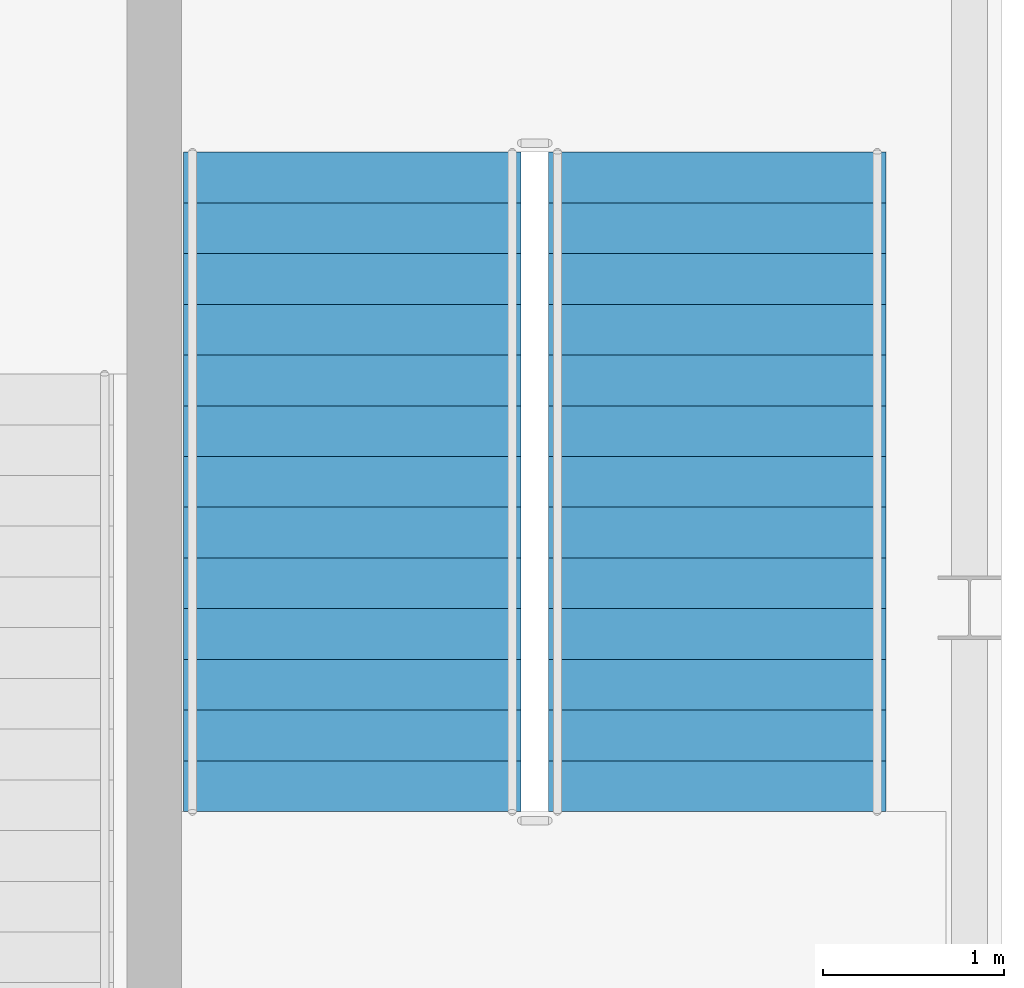
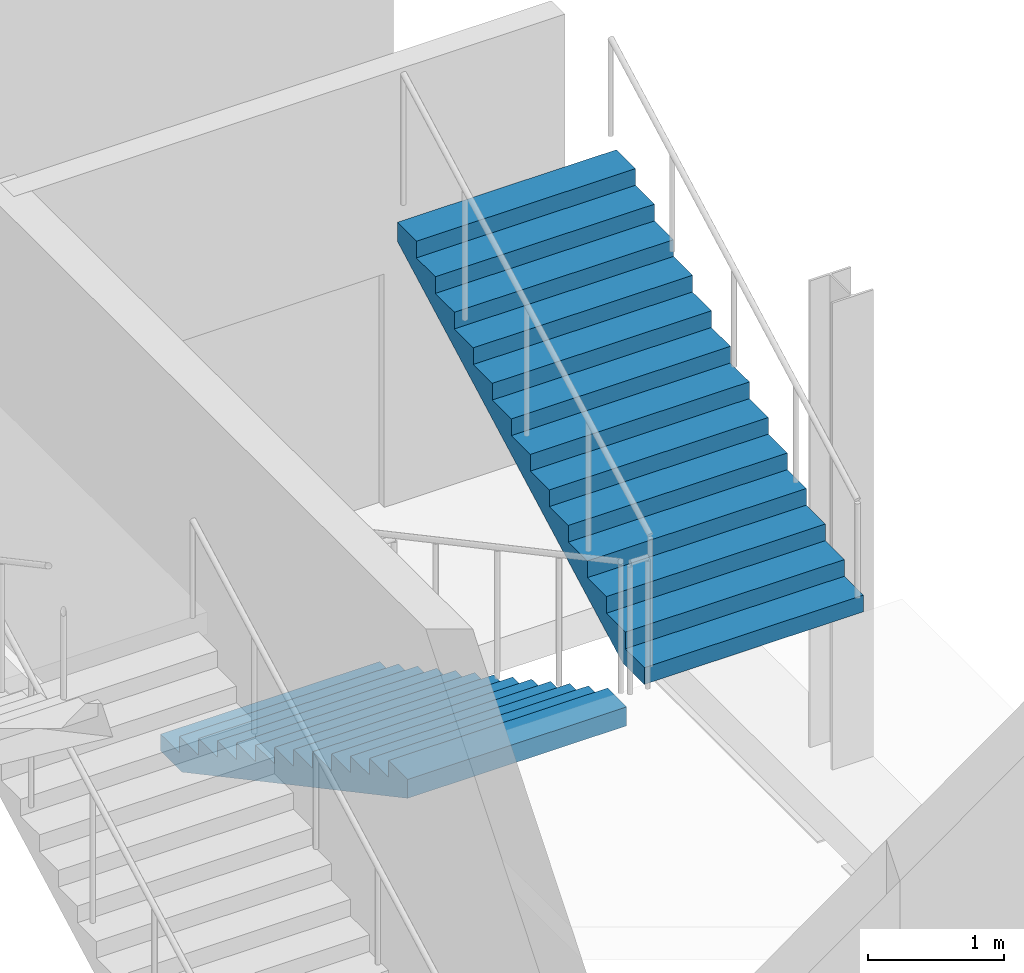
# One storey, part 6 of 7: 2 stair flights, 1 element without a shape of its own.
"""IFC4 building model written with IfcOpenShell, lengths in metres."""

from ifc_helpers import new_model, si_unit, direction, frame, origin, place, context, subcontext, project, spatial, polygons, material, type_object, element, aggregate, save


model = new_model("IFC4")

# Units and contexts
model_context = context("Model", 3, precision=1e-05, world=origin(), true_north=direction((0.0, 1.0)))
body_context = subcontext(model_context, "Body", "Model", "MODEL_VIEW")
ifc_project = project(units=[si_unit("LENGTHUNIT", "METRE"), si_unit("AREAUNIT", "SQUARE_METRE"), si_unit("VOLUMEUNIT", "CUBIC_METRE"), si_unit("PLANEANGLEUNIT", "RADIAN"), si_unit("MASSUNIT", "GRAM", prefix="KILO")], contexts=[model_context])

# Site, building, storey
site_placement = place(None, origin())
site = spatial("IfcSite", under=ifc_project, at=site_placement, CompositionType="ELEMENT")
building_placement = place(site_placement, origin())
building = spatial("IfcBuilding", under=site, at=building_placement, Name="Caravel Reach Hotel and Residences", CompositionType="ELEMENT")
storey_placement = place(building_placement, frame((0.0, 0.0, 317.0)))
storey = spatial("IfcBuildingStorey", under=building, at=storey_placement, Name="L80", CompositionType="ELEMENT", Elevation=317.0)

# Stair, stair flights
ifc_material_1 = material(Name="Concrete C40", Category="concrete")
stair_type = type_object("IfcStairType", Name="Core stair", PredefinedType="HALF_TURN_STAIR", material=ifc_material_1)
stair_placement = place(storey_placement, origin())
stair = element("IfcStair", 1, at=stair_placement, inside=storey, type_object=stair_type, Name="L80 Exit stair C", PredefinedType="HALF_TURN_STAIR")
ifc_material_2 = material(Name="Concrete C40", Category="concrete")
stair_flight_type = type_object("IfcStairFlightType", Name="Core stair flight", PredefinedType="STRAIGHT", material=ifc_material_2)
stair_flight_1_placement = place(storey_placement, frame((46.092529296875, 29.514892578125, 0.0), z_axis=(0.0, 0.0, 1.0), x_axis=(0.0, -1.0, 0.0)))
stair_flight_1 = element("IfcStairFlight", 2, at=stair_flight_1_placement, type_object=stair_flight_type, Name="ST-C flight 1", NumberOfRisers=14, NumberOfTreads=13, PredefinedType="STRAIGHT", RiserHeight=0.15, TreadLength=0.28, context=body_context, shape_type="Tessellation", body=[
    polygons([(0.3174408016601862, 0.9324951171875, 0.0), (0.3174408016601862, 0.6216634114583333, 0.0), (0.3174408016601862, 0.31083170572916663, 0.0), (0.3174408016601862, 0.0, 0.0), (0.3174408016601862, -0.31083170572916674, 0.0), (0.3174408016601862, -0.6216634114583333, 0.0), (0.3174408016601862, -0.9324951171875, 0.0), (3.6410000000000005, 0.9324951171875, 1.7799424276820432), (3.6410000000000005, 0.6216634114583333, 1.7799424276820432), (3.6410000000000005, 0.31083170572916663, 1.7799424276820432), (3.6410000000000005, 0.0, 1.7799424276820432), (3.6410000000000005, -0.31083170572916674, 1.7799424276820432), (3.6410000000000005, -0.6216634114583333, 1.7799424276820432), (3.6410000000000005, -0.9324951171875, 1.7799424276820432), (3.6410000000000005, 0.9324951171875, 1.95), (3.6410000000000005, 0.6216634114583333, 1.95), (3.6410000000000005, 0.31083170572916663, 1.95), (3.6410000000000005, 0.0, 1.95), (3.6410000000000005, -0.31083170572916674, 1.95), (3.6410000000000005, -0.6216634114583333, 1.95), (3.6410000000000005, -0.9324951171875, 1.95), (3.3600000000000003, 0.9324951171875, 1.95), (3.3600000000000003, 0.6216634114583333, 1.95), (3.3600000000000003, 0.31083170572916663, 1.95), (3.3600000000000003, 0.0, 1.95), (3.3600000000000003, -0.31083170572916674, 1.95), (3.3600000000000003, -0.6216634114583333, 1.95), (3.3600000000000003, -0.9324951171875, 1.95), (3.3600000000000003, 0.9324951171875, 1.7999999999999998), (3.3600000000000003, 0.6216634114583333, 1.7999999999999998), (3.3600000000000003, 0.31083170572916663, 1.7999999999999998), (3.3600000000000003, 0.0, 1.7999999999999998), (3.3600000000000003, -0.31083170572916674, 1.7999999999999998), (3.3600000000000003, -0.6216634114583333, 1.7999999999999998), (3.3600000000000003, -0.9324951171875, 1.7999999999999998), (3.08, 0.9324951171875, 1.7999999999999998), (3.08, 0.6216634114583333, 1.7999999999999998), (3.08, 0.31083170572916663, 1.7999999999999998), (3.08, 0.0, 1.7999999999999998), (3.08, -0.31083170572916674, 1.7999999999999998), (3.08, -0.6216634114583333, 1.7999999999999998), (3.08, -0.9324951171875, 1.7999999999999998), (3.08, 0.9324951171875, 1.65), (3.08, 0.6216634114583333, 1.65), (3.08, 0.31083170572916663, 1.65), (3.08, 0.0, 1.65), (3.08, -0.31083170572916674, 1.65), (3.08, -0.6216634114583333, 1.65), (3.08, -0.9324951171875, 1.65), (2.8000000000000003, 0.9324951171875, 1.65), (2.8000000000000003, 0.6216634114583333, 1.65), (2.8000000000000003, 0.31083170572916663, 1.65), (2.8000000000000003, 0.0, 1.65), (2.8000000000000003, -0.31083170572916674, 1.65), (2.8000000000000003, -0.6216634114583333, 1.65), (2.8000000000000003, -0.9324951171875, 1.65), (2.8000000000000003, 0.9324951171875, 1.5), (2.8000000000000003, 0.6216634114583333, 1.5), (2.8000000000000003, 0.31083170572916663, 1.5), (2.8000000000000003, 0.0, 1.5), (2.8000000000000003, -0.31083170572916674, 1.5), (2.8000000000000003, -0.6216634114583333, 1.5), (2.8000000000000003, -0.9324951171875, 1.5), (2.5200000000000005, 0.9324951171875, 1.5), (2.5200000000000005, 0.6216634114583333, 1.5), (2.5200000000000005, 0.31083170572916663, 1.5), (2.5200000000000005, 0.0, 1.5), (2.5200000000000005, -0.31083170572916674, 1.5), (2.5200000000000005, -0.6216634114583333, 1.5), (2.5200000000000005, -0.9324951171875, 1.5), (2.5200000000000005, 0.9324951171875, 1.3499999999999999), (2.5200000000000005, 0.6216634114583333, 1.3499999999999999), (2.5200000000000005, 0.31083170572916663, 1.3499999999999999), (2.5200000000000005, 0.0, 1.3499999999999999), (2.5200000000000005, -0.31083170572916674, 1.3499999999999999), (2.5200000000000005, -0.6216634114583333, 1.3499999999999999), (2.5200000000000005, -0.9324951171875, 1.3499999999999999), (2.24, 0.9324951171875, 1.3499999999999999), (2.24, 0.6216634114583333, 1.3499999999999999), (2.24, 0.31083170572916663, 1.3499999999999999), (2.24, 0.0, 1.3499999999999999), (2.24, -0.31083170572916674, 1.3499999999999999), (2.24, -0.6216634114583333, 1.3499999999999999), (2.24, -0.9324951171875, 1.3499999999999999), (2.24, 0.9324951171875, 1.2), (2.24, 0.6216634114583333, 1.2), (2.24, 0.31083170572916663, 1.2), (2.24, 0.0, 1.2), (2.24, -0.31083170572916674, 1.2), (2.24, -0.6216634114583333, 1.2), (2.24, -0.9324951171875, 1.2), (1.9600000000000002, 0.9324951171875, 1.2), (1.9600000000000002, 0.6216634114583333, 1.2), (1.9600000000000002, 0.31083170572916663, 1.2), (1.9600000000000002, 0.0, 1.2), (1.9600000000000002, -0.31083170572916674, 1.2), (1.9600000000000002, -0.6216634114583333, 1.2), (1.9600000000000002, -0.9324951171875, 1.2), (1.9600000000000002, 0.9324951171875, 1.05), (1.9600000000000002, 0.6216634114583333, 1.05), (1.9600000000000002, 0.31083170572916663, 1.05), (1.9600000000000002, 0.0, 1.05), (1.9600000000000002, -0.31083170572916674, 1.05), (1.9600000000000002, -0.6216634114583333, 1.05), (1.9600000000000002, -0.9324951171875, 1.05), (1.6800000000000002, 0.9324951171875, 1.05), (1.6800000000000002, 0.6216634114583333, 1.05), (1.6800000000000002, 0.31083170572916663, 1.05), (1.6800000000000002, 0.0, 1.05), (1.6800000000000002, -0.31083170572916674, 1.05), (1.6800000000000002, -0.6216634114583333, 1.05), (1.6800000000000002, -0.9324951171875, 1.05), (1.6800000000000002, 0.9324951171875, 0.8999999999999999), (1.6800000000000002, 0.6216634114583333, 0.8999999999999999), (1.6800000000000002, 0.31083170572916663, 0.8999999999999999), (1.6800000000000002, 0.0, 0.8999999999999999), (1.6800000000000002, -0.31083170572916674, 0.8999999999999999), (1.6800000000000002, -0.6216634114583333, 0.8999999999999999), (1.6800000000000002, -0.9324951171875, 0.8999999999999999), (1.4000000000000001, 0.9324951171875, 0.8999999999999999), (1.4000000000000001, 0.6216634114583333, 0.8999999999999999), (1.4000000000000001, 0.31083170572916663, 0.8999999999999999), (1.4000000000000001, 0.0, 0.8999999999999999), (1.4000000000000001, -0.31083170572916674, 0.8999999999999999), (1.4000000000000001, -0.6216634114583333, 0.8999999999999999), (1.4000000000000001, -0.9324951171875, 0.8999999999999999), (1.4000000000000001, 0.9324951171875, 0.75), (1.4000000000000001, 0.6216634114583333, 0.75), (1.4000000000000001, 0.31083170572916663, 0.75), (1.4000000000000001, 0.0, 0.75), (1.4000000000000001, -0.31083170572916674, 0.75), (1.4000000000000001, -0.6216634114583333, 0.75), (1.4000000000000001, -0.9324951171875, 0.75), (1.12, 0.9324951171875, 0.75), (1.12, 0.6216634114583333, 0.75), (1.12, 0.31083170572916663, 0.75), (1.12, 0.0, 0.75), (1.12, -0.31083170572916674, 0.75), (1.12, -0.6216634114583333, 0.75), (1.12, -0.9324951171875, 0.75), (1.12, 0.9324951171875, 0.6), (1.12, 0.6216634114583333, 0.6), (1.12, 0.31083170572916663, 0.6), (1.12, 0.0, 0.6), (1.12, -0.31083170572916674, 0.6), (1.12, -0.6216634114583333, 0.6), (1.12, -0.9324951171875, 0.6), (0.8400000000000001, 0.9324951171875, 0.6), (0.8400000000000001, 0.6216634114583333, 0.6), (0.8400000000000001, 0.31083170572916663, 0.6), (0.8400000000000001, 0.0, 0.6), (0.8400000000000001, -0.31083170572916674, 0.6), (0.8400000000000001, -0.6216634114583333, 0.6), (0.8400000000000001, -0.9324951171875, 0.6), (0.8400000000000001, 0.9324951171875, 0.44999999999999996), (0.8400000000000001, 0.6216634114583333, 0.44999999999999996), (0.8400000000000001, 0.31083170572916663, 0.44999999999999996), (0.8400000000000001, 0.0, 0.44999999999999996), (0.8400000000000001, -0.31083170572916674, 0.44999999999999996), (0.8400000000000001, -0.6216634114583333, 0.44999999999999996), (0.8400000000000001, -0.9324951171875, 0.44999999999999996), (0.56, 0.9324951171875, 0.44999999999999996), (0.56, 0.6216634114583333, 0.44999999999999996), (0.56, 0.31083170572916663, 0.44999999999999996), (0.56, 0.0, 0.44999999999999996), (0.56, -0.31083170572916674, 0.44999999999999996), (0.56, -0.6216634114583333, 0.44999999999999996), (0.56, -0.9324951171875, 0.44999999999999996), (0.56, 0.9324951171875, 0.3), (0.56, 0.6216634114583333, 0.3), (0.56, 0.31083170572916663, 0.3), (0.56, 0.0, 0.3), (0.56, -0.31083170572916674, 0.3), (0.56, -0.6216634114583333, 0.3), (0.56, -0.9324951171875, 0.3), (0.28, 0.9324951171875, 0.3), (0.28, 0.6216634114583333, 0.3), (0.28, 0.31083170572916663, 0.3), (0.28, 0.0, 0.3), (0.28, -0.31083170572916674, 0.3), (0.28, -0.6216634114583333, 0.3), (0.28, -0.9324951171875, 0.3), (0.28, 0.9324951171875, 0.15), (0.28, 0.6216634114583333, 0.15), (0.28, 0.31083170572916663, 0.15), (0.28, 0.0, 0.15), (0.28, -0.31083170572916674, 0.15), (0.28, -0.6216634114583333, 0.15), (0.28, -0.9324951171875, 0.15), (-0.001, 0.9324951171875, 0.15), (-0.001, 0.6216634114583333, 0.15), (-0.001, 0.31083170572916663, 0.15), (-0.001, 0.0, 0.15), (-0.001, -0.31083170572916674, 0.15), (-0.001, -0.6216634114583333, 0.15), (-0.001, -0.9324951171875, 0.15), (-0.001, 0.9324951171875, 0.0), (-0.001, 0.6216634114583333, 0.0), (-0.001, 0.31083170572916663, 0.0), (-0.001, 0.0, 0.0), (-0.001, -0.31083170572916674, 0.0), (-0.001, -0.6216634114583333, 0.0), (-0.001, -0.9324951171875, 0.0)], [[[197, 190, 183, 176, 169, 162, 155, 148, 141, 134, 127, 120, 113, 106, 99, 92, 85, 78, 71, 64, 57, 50, 43, 36, 29, 22, 15, 8, 1]], [[7, 14, 21, 28, 35, 42, 49, 56, 63, 70, 77, 84, 91, 98, 105, 112, 119, 126, 133, 140, 147, 154, 161, 168, 175, 182, 189, 196, 203]], [[1, 8, 9, 2]], [[2, 9, 10, 3]], [[3, 10, 11, 4]], [[4, 11, 12, 5]], [[5, 12, 13, 6]], [[6, 13, 14, 7]], [[8, 15, 16, 9]], [[9, 16, 17, 10]], [[10, 17, 18, 11]], [[11, 18, 19, 12]], [[12, 19, 20, 13]], [[13, 20, 21, 14]], [[15, 22, 23, 16]], [[16, 23, 24, 17]], [[17, 24, 25, 18]], [[18, 25, 26, 19]], [[19, 26, 27, 20]], [[20, 27, 28, 21]], [[22, 29, 30, 23]], [[23, 30, 31, 24]], [[24, 31, 32, 25]], [[25, 32, 33, 26]], [[26, 33, 34, 27]], [[27, 34, 35, 28]], [[29, 36, 37, 30]], [[30, 37, 38, 31]], [[31, 38, 39, 32]], [[32, 39, 40, 33]], [[33, 40, 41, 34]], [[34, 41, 42, 35]], [[36, 43, 44, 37]], [[37, 44, 45, 38]], [[38, 45, 46, 39]], [[39, 46, 47, 40]], [[40, 47, 48, 41]], [[41, 48, 49, 42]], [[43, 50, 51, 44]], [[44, 51, 52, 45]], [[45, 52, 53, 46]], [[46, 53, 54, 47]], [[47, 54, 55, 48]], [[48, 55, 56, 49]], [[50, 57, 58, 51]], [[51, 58, 59, 52]], [[52, 59, 60, 53]], [[53, 60, 61, 54]], [[54, 61, 62, 55]], [[55, 62, 63, 56]], [[57, 64, 65, 58]], [[58, 65, 66, 59]], [[59, 66, 67, 60]], [[60, 67, 68, 61]], [[61, 68, 69, 62]], [[62, 69, 70, 63]], [[64, 71, 72, 65]], [[65, 72, 73, 66]], [[66, 73, 74, 67]], [[67, 74, 75, 68]], [[68, 75, 76, 69]], [[69, 76, 77, 70]], [[71, 78, 79, 72]], [[72, 79, 80, 73]], [[73, 80, 81, 74]], [[74, 81, 82, 75]], [[75, 82, 83, 76]], [[76, 83, 84, 77]], [[78, 85, 86, 79]], [[79, 86, 87, 80]], [[80, 87, 88, 81]], [[81, 88, 89, 82]], [[82, 89, 90, 83]], [[83, 90, 91, 84]], [[85, 92, 93, 86]], [[86, 93, 94, 87]], [[87, 94, 95, 88]], [[88, 95, 96, 89]], [[89, 96, 97, 90]], [[90, 97, 98, 91]], [[92, 99, 100, 93]], [[93, 100, 101, 94]], [[94, 101, 102, 95]], [[95, 102, 103, 96]], [[96, 103, 104, 97]], [[97, 104, 105, 98]], [[99, 106, 107, 100]], [[100, 107, 108, 101]], [[101, 108, 109, 102]], [[102, 109, 110, 103]], [[103, 110, 111, 104]], [[104, 111, 112, 105]], [[106, 113, 114, 107]], [[107, 114, 115, 108]], [[108, 115, 116, 109]], [[109, 116, 117, 110]], [[110, 117, 118, 111]], [[111, 118, 119, 112]], [[113, 120, 121, 114]], [[114, 121, 122, 115]], [[115, 122, 123, 116]], [[116, 123, 124, 117]], [[117, 124, 125, 118]], [[118, 125, 126, 119]], [[120, 127, 128, 121]], [[121, 128, 129, 122]], [[122, 129, 130, 123]], [[123, 130, 131, 124]], [[124, 131, 132, 125]], [[125, 132, 133, 126]], [[127, 134, 135, 128]], [[128, 135, 136, 129]], [[129, 136, 137, 130]], [[130, 137, 138, 131]], [[131, 138, 139, 132]], [[132, 139, 140, 133]], [[134, 141, 142, 135]], [[135, 142, 143, 136]], [[136, 143, 144, 137]], [[137, 144, 145, 138]], [[138, 145, 146, 139]], [[139, 146, 147, 140]], [[141, 148, 149, 142]], [[142, 149, 150, 143]], [[143, 150, 151, 144]], [[144, 151, 152, 145]], [[145, 152, 153, 146]], [[146, 153, 154, 147]], [[148, 155, 156, 149]], [[149, 156, 157, 150]], [[150, 157, 158, 151]], [[151, 158, 159, 152]], [[152, 159, 160, 153]], [[153, 160, 161, 154]], [[155, 162, 163, 156]], [[156, 163, 164, 157]], [[157, 164, 165, 158]], [[158, 165, 166, 159]], [[159, 166, 167, 160]], [[160, 167, 168, 161]], [[162, 169, 170, 163]], [[163, 170, 171, 164]], [[164, 171, 172, 165]], [[165, 172, 173, 166]], [[166, 173, 174, 167]], [[167, 174, 175, 168]], [[169, 176, 177, 170]], [[170, 177, 178, 171]], [[171, 178, 179, 172]], [[172, 179, 180, 173]], [[173, 180, 181, 174]], [[174, 181, 182, 175]], [[176, 183, 184, 177]], [[177, 184, 185, 178]], [[178, 185, 186, 179]], [[179, 186, 187, 180]], [[180, 187, 188, 181]], [[181, 188, 189, 182]], [[183, 190, 191, 184]], [[184, 191, 192, 185]], [[185, 192, 193, 186]], [[186, 193, 194, 187]], [[187, 194, 195, 188]], [[188, 195, 196, 189]], [[190, 197, 198, 191]], [[191, 198, 199, 192]], [[192, 199, 200, 193]], [[193, 200, 201, 194]], [[194, 201, 202, 195]], [[195, 202, 203, 196]], [[197, 1, 2, 198]], [[198, 2, 3, 199]], [[199, 3, 4, 200]], [[200, 4, 5, 201]], [[201, 5, 6, 202]], [[202, 6, 7, 203]]], closed=True),
])
stair_flight_2_placement = place(storey_placement, frame((48.107421875, 25.875, 2.10009765625), z_axis=(0.0, 0.0, 1.0), x_axis=(0.0, 1.0, 0.0)))
stair_flight_2 = element("IfcStairFlight", 3, at=stair_flight_2_placement, type_object=stair_flight_type, Name="ST-C flight 2", NumberOfRisers=14, NumberOfTreads=13, PredefinedType="STRAIGHT", RiserHeight=0.15, TreadLength=0.28, context=body_context, shape_type="Tessellation", body=[
    polygons([(0.3174408016601862, 0.9324951171875, 0.0), (0.3174408016601862, 0.6216634114583333, 0.0), (0.3174408016601862, 0.31083170572916663, 0.0), (0.3174408016601862, 0.0, 0.0), (0.3174408016601862, -0.31083170572916674, 0.0), (0.3174408016601862, -0.6216634114583333, 0.0), (0.3174408016601862, -0.9324951171875, 0.0), (3.6410000000000005, 0.9324951171875, 1.7799424276820432), (3.6410000000000005, 0.6216634114583333, 1.7799424276820432), (3.6410000000000005, 0.31083170572916663, 1.7799424276820432), (3.6410000000000005, 0.0, 1.7799424276820432), (3.6410000000000005, -0.31083170572916674, 1.7799424276820432), (3.6410000000000005, -0.6216634114583333, 1.7799424276820432), (3.6410000000000005, -0.9324951171875, 1.7799424276820432), (3.6410000000000005, 0.9324951171875, 1.95), (3.6410000000000005, 0.6216634114583333, 1.95), (3.6410000000000005, 0.31083170572916663, 1.95), (3.6410000000000005, 0.0, 1.95), (3.6410000000000005, -0.31083170572916674, 1.95), (3.6410000000000005, -0.6216634114583333, 1.95), (3.6410000000000005, -0.9324951171875, 1.95), (3.3600000000000003, 0.9324951171875, 1.95), (3.3600000000000003, 0.6216634114583333, 1.95), (3.3600000000000003, 0.31083170572916663, 1.95), (3.3600000000000003, 0.0, 1.95), (3.3600000000000003, -0.31083170572916674, 1.95), (3.3600000000000003, -0.6216634114583333, 1.95), (3.3600000000000003, -0.9324951171875, 1.95), (3.3600000000000003, 0.9324951171875, 1.7999999999999998), (3.3600000000000003, 0.6216634114583333, 1.7999999999999998), (3.3600000000000003, 0.31083170572916663, 1.7999999999999998), (3.3600000000000003, 0.0, 1.7999999999999998), (3.3600000000000003, -0.31083170572916674, 1.7999999999999998), (3.3600000000000003, -0.6216634114583333, 1.7999999999999998), (3.3600000000000003, -0.9324951171875, 1.7999999999999998), (3.08, 0.9324951171875, 1.7999999999999998), (3.08, 0.6216634114583333, 1.7999999999999998), (3.08, 0.31083170572916663, 1.7999999999999998), (3.08, 0.0, 1.7999999999999998), (3.08, -0.31083170572916674, 1.7999999999999998), (3.08, -0.6216634114583333, 1.7999999999999998), (3.08, -0.9324951171875, 1.7999999999999998), (3.08, 0.9324951171875, 1.65), (3.08, 0.6216634114583333, 1.65), (3.08, 0.31083170572916663, 1.65), (3.08, 0.0, 1.65), (3.08, -0.31083170572916674, 1.65), (3.08, -0.6216634114583333, 1.65), (3.08, -0.9324951171875, 1.65), (2.8000000000000003, 0.9324951171875, 1.65), (2.8000000000000003, 0.6216634114583333, 1.65), (2.8000000000000003, 0.31083170572916663, 1.65), (2.8000000000000003, 0.0, 1.65), (2.8000000000000003, -0.31083170572916674, 1.65), (2.8000000000000003, -0.6216634114583333, 1.65), (2.8000000000000003, -0.9324951171875, 1.65), (2.8000000000000003, 0.9324951171875, 1.5), (2.8000000000000003, 0.6216634114583333, 1.5), (2.8000000000000003, 0.31083170572916663, 1.5), (2.8000000000000003, 0.0, 1.5), (2.8000000000000003, -0.31083170572916674, 1.5), (2.8000000000000003, -0.6216634114583333, 1.5), (2.8000000000000003, -0.9324951171875, 1.5), (2.5200000000000005, 0.9324951171875, 1.5), (2.5200000000000005, 0.6216634114583333, 1.5), (2.5200000000000005, 0.31083170572916663, 1.5), (2.5200000000000005, 0.0, 1.5), (2.5200000000000005, -0.31083170572916674, 1.5), (2.5200000000000005, -0.6216634114583333, 1.5), (2.5200000000000005, -0.9324951171875, 1.5), (2.5200000000000005, 0.9324951171875, 1.3499999999999999), (2.5200000000000005, 0.6216634114583333, 1.3499999999999999), (2.5200000000000005, 0.31083170572916663, 1.3499999999999999), (2.5200000000000005, 0.0, 1.3499999999999999), (2.5200000000000005, -0.31083170572916674, 1.3499999999999999), (2.5200000000000005, -0.6216634114583333, 1.3499999999999999), (2.5200000000000005, -0.9324951171875, 1.3499999999999999), (2.24, 0.9324951171875, 1.3499999999999999), (2.24, 0.6216634114583333, 1.3499999999999999), (2.24, 0.31083170572916663, 1.3499999999999999), (2.24, 0.0, 1.3499999999999999), (2.24, -0.31083170572916674, 1.3499999999999999), (2.24, -0.6216634114583333, 1.3499999999999999), (2.24, -0.9324951171875, 1.3499999999999999), (2.24, 0.9324951171875, 1.2), (2.24, 0.6216634114583333, 1.2), (2.24, 0.31083170572916663, 1.2), (2.24, 0.0, 1.2), (2.24, -0.31083170572916674, 1.2), (2.24, -0.6216634114583333, 1.2), (2.24, -0.9324951171875, 1.2), (1.9600000000000002, 0.9324951171875, 1.2), (1.9600000000000002, 0.6216634114583333, 1.2), (1.9600000000000002, 0.31083170572916663, 1.2), (1.9600000000000002, 0.0, 1.2), (1.9600000000000002, -0.31083170572916674, 1.2), (1.9600000000000002, -0.6216634114583333, 1.2), (1.9600000000000002, -0.9324951171875, 1.2), (1.9600000000000002, 0.9324951171875, 1.05), (1.9600000000000002, 0.6216634114583333, 1.05), (1.9600000000000002, 0.31083170572916663, 1.05), (1.9600000000000002, 0.0, 1.05), (1.9600000000000002, -0.31083170572916674, 1.05), (1.9600000000000002, -0.6216634114583333, 1.05), (1.9600000000000002, -0.9324951171875, 1.05), (1.6800000000000002, 0.9324951171875, 1.05), (1.6800000000000002, 0.6216634114583333, 1.05), (1.6800000000000002, 0.31083170572916663, 1.05), (1.6800000000000002, 0.0, 1.05), (1.6800000000000002, -0.31083170572916674, 1.05), (1.6800000000000002, -0.6216634114583333, 1.05), (1.6800000000000002, -0.9324951171875, 1.05), (1.6800000000000002, 0.9324951171875, 0.8999999999999999), (1.6800000000000002, 0.6216634114583333, 0.8999999999999999), (1.6800000000000002, 0.31083170572916663, 0.8999999999999999), (1.6800000000000002, 0.0, 0.8999999999999999), (1.6800000000000002, -0.31083170572916674, 0.8999999999999999), (1.6800000000000002, -0.6216634114583333, 0.8999999999999999), (1.6800000000000002, -0.9324951171875, 0.8999999999999999), (1.4000000000000001, 0.9324951171875, 0.8999999999999999), (1.4000000000000001, 0.6216634114583333, 0.8999999999999999), (1.4000000000000001, 0.31083170572916663, 0.8999999999999999), (1.4000000000000001, 0.0, 0.8999999999999999), (1.4000000000000001, -0.31083170572916674, 0.8999999999999999), (1.4000000000000001, -0.6216634114583333, 0.8999999999999999), (1.4000000000000001, -0.9324951171875, 0.8999999999999999), (1.4000000000000001, 0.9324951171875, 0.75), (1.4000000000000001, 0.6216634114583333, 0.75), (1.4000000000000001, 0.31083170572916663, 0.75), (1.4000000000000001, 0.0, 0.75), (1.4000000000000001, -0.31083170572916674, 0.75), (1.4000000000000001, -0.6216634114583333, 0.75), (1.4000000000000001, -0.9324951171875, 0.75), (1.12, 0.9324951171875, 0.75), (1.12, 0.6216634114583333, 0.75), (1.12, 0.31083170572916663, 0.75), (1.12, 0.0, 0.75), (1.12, -0.31083170572916674, 0.75), (1.12, -0.6216634114583333, 0.75), (1.12, -0.9324951171875, 0.75), (1.12, 0.9324951171875, 0.6), (1.12, 0.6216634114583333, 0.6), (1.12, 0.31083170572916663, 0.6), (1.12, 0.0, 0.6), (1.12, -0.31083170572916674, 0.6), (1.12, -0.6216634114583333, 0.6), (1.12, -0.9324951171875, 0.6), (0.8400000000000001, 0.9324951171875, 0.6), (0.8400000000000001, 0.6216634114583333, 0.6), (0.8400000000000001, 0.31083170572916663, 0.6), (0.8400000000000001, 0.0, 0.6), (0.8400000000000001, -0.31083170572916674, 0.6), (0.8400000000000001, -0.6216634114583333, 0.6), (0.8400000000000001, -0.9324951171875, 0.6), (0.8400000000000001, 0.9324951171875, 0.44999999999999996), (0.8400000000000001, 0.6216634114583333, 0.44999999999999996), (0.8400000000000001, 0.31083170572916663, 0.44999999999999996), (0.8400000000000001, 0.0, 0.44999999999999996), (0.8400000000000001, -0.31083170572916674, 0.44999999999999996), (0.8400000000000001, -0.6216634114583333, 0.44999999999999996), (0.8400000000000001, -0.9324951171875, 0.44999999999999996), (0.56, 0.9324951171875, 0.44999999999999996), (0.56, 0.6216634114583333, 0.44999999999999996), (0.56, 0.31083170572916663, 0.44999999999999996), (0.56, 0.0, 0.44999999999999996), (0.56, -0.31083170572916674, 0.44999999999999996), (0.56, -0.6216634114583333, 0.44999999999999996), (0.56, -0.9324951171875, 0.44999999999999996), (0.56, 0.9324951171875, 0.3), (0.56, 0.6216634114583333, 0.3), (0.56, 0.31083170572916663, 0.3), (0.56, 0.0, 0.3), (0.56, -0.31083170572916674, 0.3), (0.56, -0.6216634114583333, 0.3), (0.56, -0.9324951171875, 0.3), (0.28, 0.9324951171875, 0.3), (0.28, 0.6216634114583333, 0.3), (0.28, 0.31083170572916663, 0.3), (0.28, 0.0, 0.3), (0.28, -0.31083170572916674, 0.3), (0.28, -0.6216634114583333, 0.3), (0.28, -0.9324951171875, 0.3), (0.28, 0.9324951171875, 0.15), (0.28, 0.6216634114583333, 0.15), (0.28, 0.31083170572916663, 0.15), (0.28, 0.0, 0.15), (0.28, -0.31083170572916674, 0.15), (0.28, -0.6216634114583333, 0.15), (0.28, -0.9324951171875, 0.15), (-0.001, 0.9324951171875, 0.15), (-0.001, 0.6216634114583333, 0.15), (-0.001, 0.31083170572916663, 0.15), (-0.001, 0.0, 0.15), (-0.001, -0.31083170572916674, 0.15), (-0.001, -0.6216634114583333, 0.15), (-0.001, -0.9324951171875, 0.15), (-0.001, 0.9324951171875, 0.0), (-0.001, 0.6216634114583333, 0.0), (-0.001, 0.31083170572916663, 0.0), (-0.001, 0.0, 0.0), (-0.001, -0.31083170572916674, 0.0), (-0.001, -0.6216634114583333, 0.0), (-0.001, -0.9324951171875, 0.0)], [[[197, 190, 183, 176, 169, 162, 155, 148, 141, 134, 127, 120, 113, 106, 99, 92, 85, 78, 71, 64, 57, 50, 43, 36, 29, 22, 15, 8, 1]], [[7, 14, 21, 28, 35, 42, 49, 56, 63, 70, 77, 84, 91, 98, 105, 112, 119, 126, 133, 140, 147, 154, 161, 168, 175, 182, 189, 196, 203]], [[1, 8, 9, 2]], [[2, 9, 10, 3]], [[3, 10, 11, 4]], [[4, 11, 12, 5]], [[5, 12, 13, 6]], [[6, 13, 14, 7]], [[8, 15, 16, 9]], [[9, 16, 17, 10]], [[10, 17, 18, 11]], [[11, 18, 19, 12]], [[12, 19, 20, 13]], [[13, 20, 21, 14]], [[15, 22, 23, 16]], [[16, 23, 24, 17]], [[17, 24, 25, 18]], [[18, 25, 26, 19]], [[19, 26, 27, 20]], [[20, 27, 28, 21]], [[22, 29, 30, 23]], [[23, 30, 31, 24]], [[24, 31, 32, 25]], [[25, 32, 33, 26]], [[26, 33, 34, 27]], [[27, 34, 35, 28]], [[29, 36, 37, 30]], [[30, 37, 38, 31]], [[31, 38, 39, 32]], [[32, 39, 40, 33]], [[33, 40, 41, 34]], [[34, 41, 42, 35]], [[36, 43, 44, 37]], [[37, 44, 45, 38]], [[38, 45, 46, 39]], [[39, 46, 47, 40]], [[40, 47, 48, 41]], [[41, 48, 49, 42]], [[43, 50, 51, 44]], [[44, 51, 52, 45]], [[45, 52, 53, 46]], [[46, 53, 54, 47]], [[47, 54, 55, 48]], [[48, 55, 56, 49]], [[50, 57, 58, 51]], [[51, 58, 59, 52]], [[52, 59, 60, 53]], [[53, 60, 61, 54]], [[54, 61, 62, 55]], [[55, 62, 63, 56]], [[57, 64, 65, 58]], [[58, 65, 66, 59]], [[59, 66, 67, 60]], [[60, 67, 68, 61]], [[61, 68, 69, 62]], [[62, 69, 70, 63]], [[64, 71, 72, 65]], [[65, 72, 73, 66]], [[66, 73, 74, 67]], [[67, 74, 75, 68]], [[68, 75, 76, 69]], [[69, 76, 77, 70]], [[71, 78, 79, 72]], [[72, 79, 80, 73]], [[73, 80, 81, 74]], [[74, 81, 82, 75]], [[75, 82, 83, 76]], [[76, 83, 84, 77]], [[78, 85, 86, 79]], [[79, 86, 87, 80]], [[80, 87, 88, 81]], [[81, 88, 89, 82]], [[82, 89, 90, 83]], [[83, 90, 91, 84]], [[85, 92, 93, 86]], [[86, 93, 94, 87]], [[87, 94, 95, 88]], [[88, 95, 96, 89]], [[89, 96, 97, 90]], [[90, 97, 98, 91]], [[92, 99, 100, 93]], [[93, 100, 101, 94]], [[94, 101, 102, 95]], [[95, 102, 103, 96]], [[96, 103, 104, 97]], [[97, 104, 105, 98]], [[99, 106, 107, 100]], [[100, 107, 108, 101]], [[101, 108, 109, 102]], [[102, 109, 110, 103]], [[103, 110, 111, 104]], [[104, 111, 112, 105]], [[106, 113, 114, 107]], [[107, 114, 115, 108]], [[108, 115, 116, 109]], [[109, 116, 117, 110]], [[110, 117, 118, 111]], [[111, 118, 119, 112]], [[113, 120, 121, 114]], [[114, 121, 122, 115]], [[115, 122, 123, 116]], [[116, 123, 124, 117]], [[117, 124, 125, 118]], [[118, 125, 126, 119]], [[120, 127, 128, 121]], [[121, 128, 129, 122]], [[122, 129, 130, 123]], [[123, 130, 131, 124]], [[124, 131, 132, 125]], [[125, 132, 133, 126]], [[127, 134, 135, 128]], [[128, 135, 136, 129]], [[129, 136, 137, 130]], [[130, 137, 138, 131]], [[131, 138, 139, 132]], [[132, 139, 140, 133]], [[134, 141, 142, 135]], [[135, 142, 143, 136]], [[136, 143, 144, 137]], [[137, 144, 145, 138]], [[138, 145, 146, 139]], [[139, 146, 147, 140]], [[141, 148, 149, 142]], [[142, 149, 150, 143]], [[143, 150, 151, 144]], [[144, 151, 152, 145]], [[145, 152, 153, 146]], [[146, 153, 154, 147]], [[148, 155, 156, 149]], [[149, 156, 157, 150]], [[150, 157, 158, 151]], [[151, 158, 159, 152]], [[152, 159, 160, 153]], [[153, 160, 161, 154]], [[155, 162, 163, 156]], [[156, 163, 164, 157]], [[157, 164, 165, 158]], [[158, 165, 166, 159]], [[159, 166, 167, 160]], [[160, 167, 168, 161]], [[162, 169, 170, 163]], [[163, 170, 171, 164]], [[164, 171, 172, 165]], [[165, 172, 173, 166]], [[166, 173, 174, 167]], [[167, 174, 175, 168]], [[169, 176, 177, 170]], [[170, 177, 178, 171]], [[171, 178, 179, 172]], [[172, 179, 180, 173]], [[173, 180, 181, 174]], [[174, 181, 182, 175]], [[176, 183, 184, 177]], [[177, 184, 185, 178]], [[178, 185, 186, 179]], [[179, 186, 187, 180]], [[180, 187, 188, 181]], [[181, 188, 189, 182]], [[183, 190, 191, 184]], [[184, 191, 192, 185]], [[185, 192, 193, 186]], [[186, 193, 194, 187]], [[187, 194, 195, 188]], [[188, 195, 196, 189]], [[190, 197, 198, 191]], [[191, 198, 199, 192]], [[192, 199, 200, 193]], [[193, 200, 201, 194]], [[194, 201, 202, 195]], [[195, 202, 203, 196]], [[197, 1, 2, 198]], [[198, 2, 3, 199]], [[199, 3, 4, 200]], [[200, 4, 5, 201]], [[201, 5, 6, 202]], [[202, 6, 7, 203]]], closed=True),
])
aggregate(stair, [stair_flight_1, stair_flight_2])

save(model, "model.ifc")
